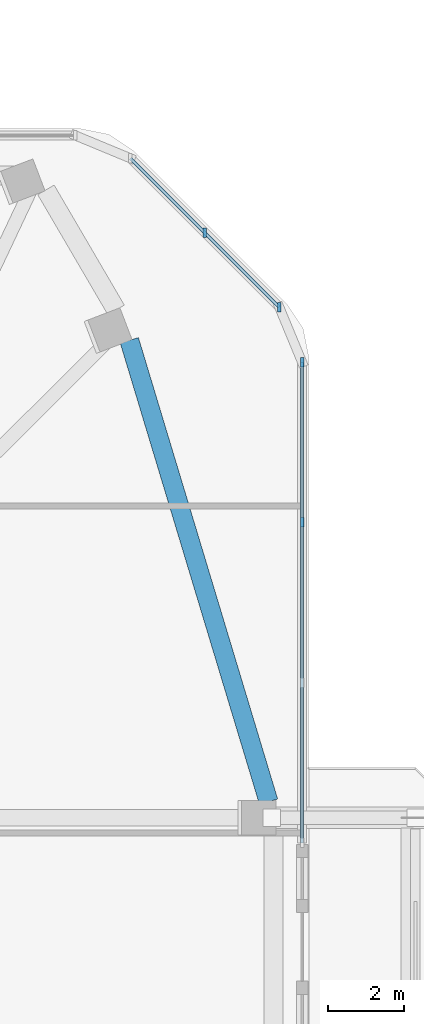
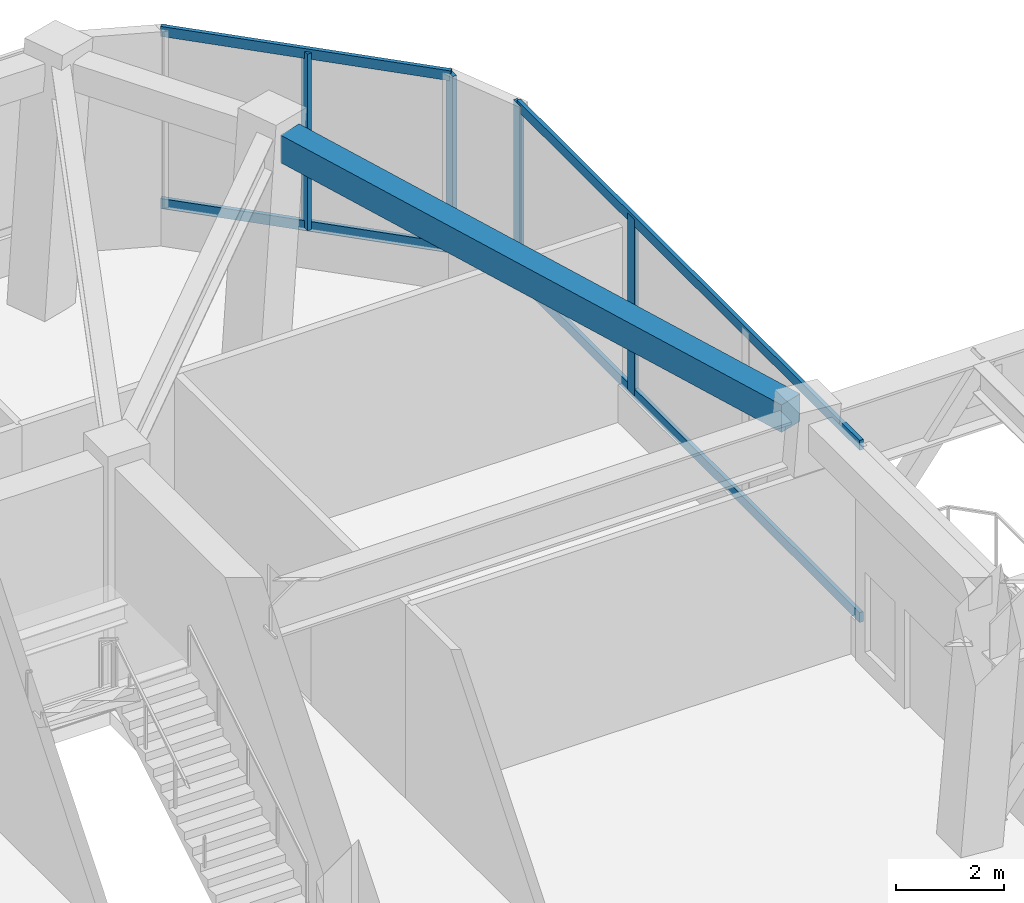
# One storey, part 5 of 14: 8 members, 1 beam, 2 elements without a shape of their own.
"""IFC4 building model written with IfcOpenShell, lengths in metres."""

from ifc_helpers import new_model, si_unit, derived_unit, direction, frame, origin, origin_2d, place, context, subcontext, project, spatial, rectangle, extrude, material, material_profile, profile_set, type_object, element, aggregate, save


model = new_model("IFC4")

# Units and contexts
model_context = context("Model", 3, precision=1e-05, world=origin(), true_north=direction((0.0, 1.0)))
body_context = subcontext(model_context, "Body", "Model", "MODEL_VIEW")
ifc_project = project(units=[si_unit("LENGTHUNIT", "METRE"), si_unit("AREAUNIT", "SQUARE_METRE"), si_unit("VOLUMEUNIT", "CUBIC_METRE"), si_unit("PLANEANGLEUNIT", "RADIAN"), si_unit("MASSUNIT", "GRAM", prefix="KILO"), derived_unit("THERMALTRANSMITTANCEUNIT", [(si_unit("POWERUNIT", "WATT"), 1), (si_unit("LENGTHUNIT", "METRE"), -2), (si_unit("THERMODYNAMICTEMPERATUREUNIT", "KELVIN"), -1)])], contexts=[model_context])

# Site, building, storey
site_placement = place(None, origin())
site = spatial("IfcSite", under=ifc_project, at=site_placement, CompositionType="ELEMENT")
building_placement = place(site_placement, origin())
building = spatial("IfcBuilding", under=site, at=building_placement, Name="Koralith Skygarden Medical Center", CompositionType="ELEMENT")
storey_placement = place(building_placement, frame((0.0, 0.0, 182.699951171875)))
storey = spatial("IfcBuildingStorey", under=building, at=storey_placement, Name="L47", CompositionType="ELEMENT", Elevation=182.699951171875)

# Curtain wall, members
ifc_material_1 = material(Name="Clear Laminated Glass", Category="glass")
curtain_wall_type = type_object("IfcCurtainWallType", Name="CW-7 Sky-Garden & Pool Conservatory Wall", PredefinedType="NOTDEFINED", material=ifc_material_1)
curtain_wall_1_placement = place(storey_placement, origin())
curtain_wall_1 = element("IfcCurtainWall", 1, at=curtain_wall_1_placement, inside=storey, type_object=curtain_wall_type, Name="Curtain Wall CW-L47-E-R", PredefinedType="NOTDEFINED")
ifc_material_2 = material(Name="Aluminium 6063-T6", Category="aluminium")
ifc_material_profile_1 = material_profile(ifc_material_2, rectangle(XDim=0.0859375, YDim=0.25, at=origin_2d()), Name="MUL86X250")
ifc_profile_set_1 = profile_set([ifc_material_profile_1], Name="Aluminium 6063-T6")
member_type_1 = type_object("IfcMemberType", Name="CW-7 Extruded Mullion 86x250", PredefinedType="MULLION", material=ifc_profile_set_1)
member_1_placement = place(storey_placement, frame((60.697021484375, 37.076904296875, 0.85009765625), z_axis=(0.0, 0.0, 1.0), x_axis=(1.0, 0.0, 0.0)))
member_1 = element("IfcMember", 2, at=member_1_placement, type_object=member_type_1, Name="CW-L47-E-R Mullion 3", PredefinedType="MULLION", context=body_context, shape_type="SweptSolid", body=[
    extrude(rectangle(XDim=0.0859375, YDim=0.25, at=origin_2d()), origin(), (0.0, 0.0, 1.0), 3.97998046875),
])
member_2_placement = place(storey_placement, frame((60.697021484375, 41.294921875, 0.85009765625), z_axis=(0.0, 0.0, 1.0), x_axis=(1.0, 0.0, 0.0)))
member_2 = element("IfcMember", 3, at=member_2_placement, type_object=member_type_1, Name="CW-L47-E-R Mullion 4", PredefinedType="MULLION", context=body_context, shape_type="SweptSolid", body=[
    extrude(rectangle(XDim=0.0859375, YDim=0.25, at=origin_2d()), origin(), (0.0, 0.0, 1.0), 3.97998046875),
])

curtain_wall_2_placement = place(storey_placement, origin())
curtain_wall_2 = element("IfcCurtainWall", 4, at=curtain_wall_2_placement, inside=storey, type_object=curtain_wall_type, Name="Curtain Wall CW-L47-NE", PredefinedType="NOTDEFINED")
member_3_placement = place(storey_placement, frame((60.095947265625, 42.74609375, 0.85009765625), z_axis=(0.0, 0.0, 1.0), x_axis=(1.0, 0.0, 0.0)))
member_3 = element("IfcMember", 5, at=member_3_placement, type_object=member_type_1, Name="CW-L47-NE Mullion 1", PredefinedType="MULLION", context=body_context, shape_type="SweptSolid", body=[
    extrude(rectangle(XDim=0.0859375, YDim=0.25, at=origin_2d()), origin(), (0.0, 0.0, 1.0), 3.97998046875),
])
member_4_placement = place(storey_placement, frame((58.134033203125, 44.7080078125, 0.85009765625), z_axis=(0.0, 0.0, 1.0), x_axis=(1.0, 0.0, 0.0)))
member_4 = element("IfcMember", 6, at=member_4_placement, type_object=member_type_1, Name="CW-L47-NE Mullion 2", PredefinedType="MULLION", context=body_context, shape_type="SweptSolid", body=[
    extrude(rectangle(XDim=0.0859375, YDim=0.25, at=origin_2d()), origin(), (0.0, 0.0, 1.0), 3.97998046875),
])

# Member
ifc_material_profile_2 = material_profile(ifc_material_2, rectangle(XDim=0.0810546875, YDim=0.22509765625, at=origin_2d()), Name="TRN81X225")
ifc_profile_set_2 = profile_set([ifc_material_profile_2], Name="Aluminium 6063-T6")
member_type_2 = type_object("IfcMemberType", Name="CW-7 Thermal Transom 81x225", PredefinedType="USERDEFINED", material=ifc_profile_set_2)
member_5_placement = place(storey_placement, frame((60.697021484375, 28.639892578125, 0.900146484375), z_axis=(0.0, 1.0, 0.0), x_axis=(-1.0, 0.0, 0.0)))
member_5 = element("IfcMember", 7, at=member_5_placement, type_object=member_type_2, Name="CW-L47-E-R Transom 1", ObjectType="TRANSOM", PredefinedType="USERDEFINED", context=body_context, shape_type="SweptSolid", body=[
    extrude(rectangle(XDim=0.0810546875, YDim=0.22509765625, at=origin_2d()), origin(), (0.0, 0.0, 1.0), 12.655029296875),
])

member_6_placement = place(storey_placement, frame((60.697021484375, 28.639892578125, 4.780029296875), z_axis=(0.0, 1.0, 0.0), x_axis=(-1.0, 0.0, 0.0)))
member_6 = element("IfcMember", 8, at=member_6_placement, type_object=member_type_2, Name="CW-L47-E-R Transom 2", ObjectType="TRANSOM", PredefinedType="USERDEFINED", context=body_context, shape_type="SweptSolid", body=[
    extrude(rectangle(XDim=0.0810546875, YDim=0.22509765625, at=origin_2d()), origin(), (0.0, 0.0, 1.0), 12.655029296875),
])

aggregate(curtain_wall_1, [member_1, member_2, member_5, member_6])

member_7_placement = place(storey_placement, frame((60.095947265625, 42.74609375, 0.900146484375), z_axis=(-0.707106781187, 0.707106781187, 0.0), x_axis=(-0.707106781187, -0.707106781187, 0.0)))
member_7 = element("IfcMember", 9, at=member_7_placement, type_object=member_type_2, Name="CW-L47-NE Transom 1", ObjectType="TRANSOM", PredefinedType="USERDEFINED", context=body_context, shape_type="SweptSolid", body=[
    extrude(rectangle(XDim=0.0810546875, YDim=0.22509765625, at=origin_2d()), origin(), (0.0, 0.0, 1.0), 5.5478515625),
])

member_8_placement = place(storey_placement, frame((60.095947265625, 42.74609375, 4.780029296875), z_axis=(-0.707106781187, 0.707106781187, 0.0), x_axis=(-0.707106781187, -0.707106781187, 0.0)))
member_8 = element("IfcMember", 10, at=member_8_placement, type_object=member_type_2, Name="CW-L47-NE Transom 2", ObjectType="TRANSOM", PredefinedType="USERDEFINED", context=body_context, shape_type="SweptSolid", body=[
    extrude(rectangle(XDim=0.0810546875, YDim=0.22509765625, at=origin_2d()), origin(), (0.0, 0.0, 1.0), 5.5478515625),
])

aggregate(curtain_wall_2, [member_3, member_4, member_7, member_8])

# Beam
ifc_material_3 = material(Name="Concrete C45/55", Category="concrete")
ifc_material_profile_3 = material_profile(ifc_material_3, rectangle(XDim=0.5, YDim=0.6201171875, at=origin_2d()), Name="RCB500X620")
ifc_profile_set_3 = profile_set([ifc_material_profile_3], Name="Concrete C45/55")
beam_type = type_object("IfcBeamType", Name="Zone 4-5 Spandrel Beam RCB500X620", PredefinedType="SPANDREL", material=ifc_profile_set_3)
beam_placement = place(storey_placement, frame((59.81396484375, 29.720947265625, 5.150146484375), z_axis=(-0.288870232301, 0.957368261898, 0.0), x_axis=(-0.957368261898, -0.288870232301, 0.0)))
element("IfcBeam", 11, at=beam_placement, inside=storey, type_object=beam_type, Name="L47 Perimeter Spandrel Beam SP-09", PredefinedType="SPANDREL", context=body_context, shape_type="SweptSolid", body=[
    extrude(rectangle(XDim=0.5, YDim=0.6201171875, at=origin_2d()), origin(), (0.0, 0.0, 1.0), 12.6943359375),
])

save(model, "model.ifc")
